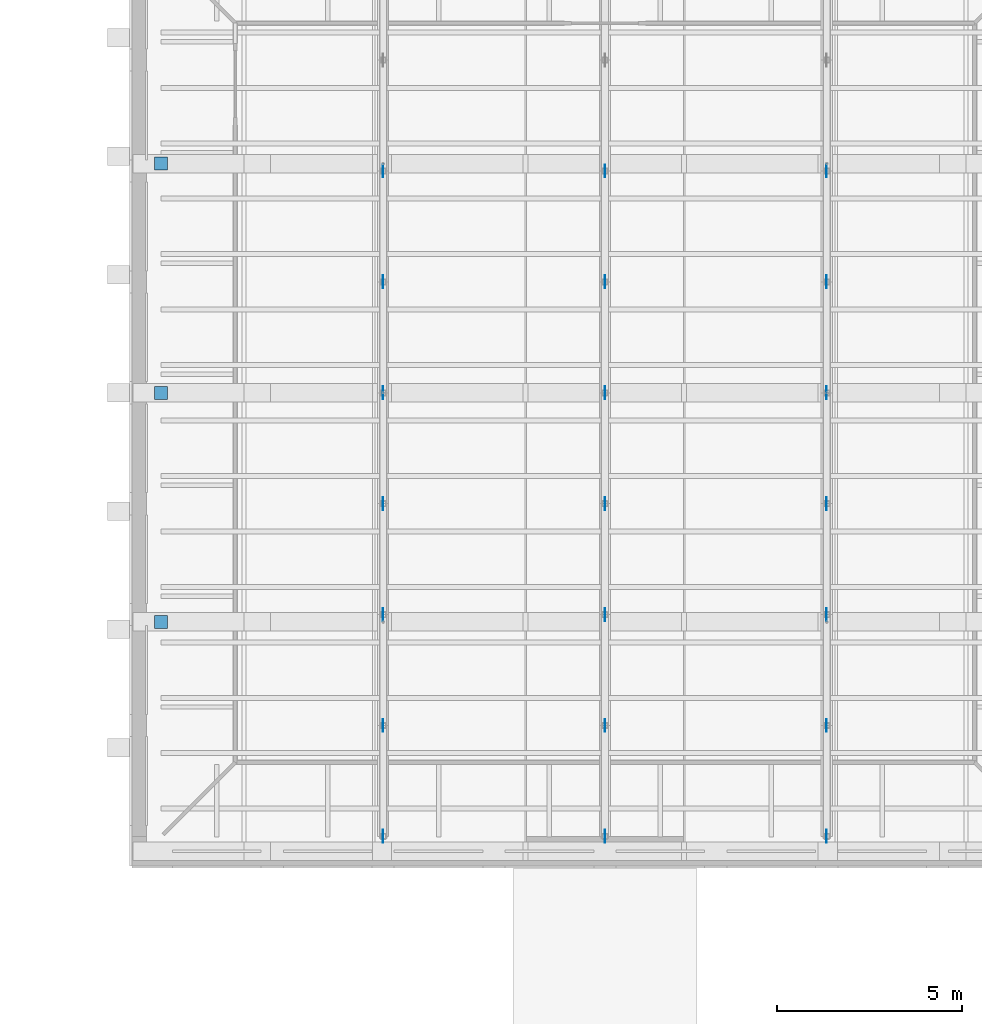
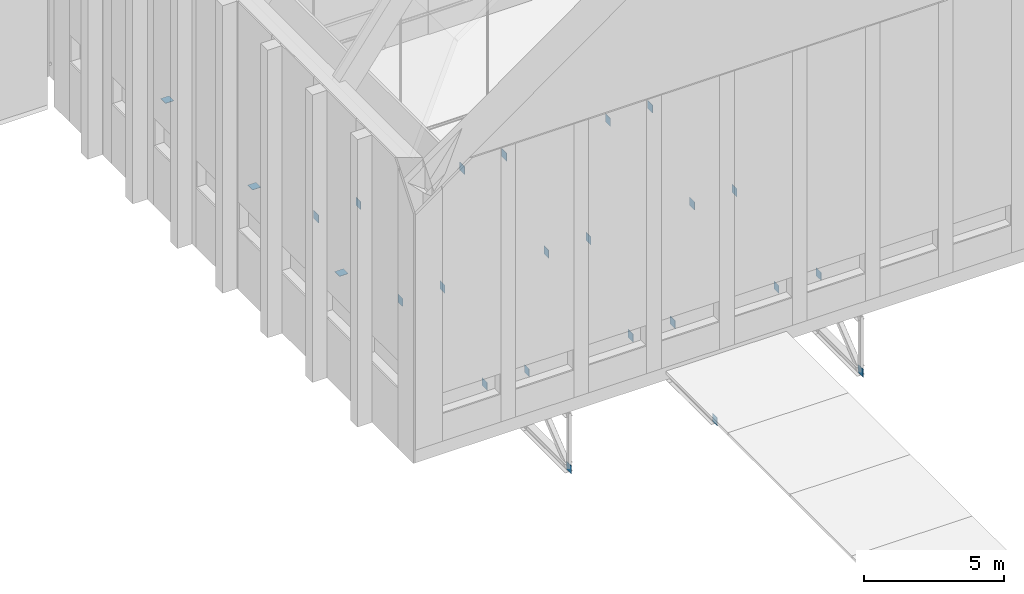
# One storey, part 48 of 55: 24 discrete accessories.
"""IFC4 building model written with IfcOpenShell, lengths in metres."""

from ifc_helpers import new_model, si_unit, direction, frame, origin, origin_2d, place, context, subcontext, project, spatial, rectangle, extrude, material, layer, layer_set, type_object, element, save


model = new_model("IFC4")

# Units and contexts
model_context = context("Model", 3, precision=1e-05, world=origin(), true_north=direction((0.0, 1.0)))
body_context = subcontext(model_context, "Body", "Model", "MODEL_VIEW")
ifc_project = project(units=[si_unit("LENGTHUNIT", "METRE"), si_unit("AREAUNIT", "SQUARE_METRE"), si_unit("VOLUMEUNIT", "CUBIC_METRE"), si_unit("PLANEANGLEUNIT", "RADIAN"), si_unit("MASSUNIT", "GRAM", prefix="KILO")], contexts=[model_context])

# Site, building, storey
site_placement = place(None, origin())
site = spatial("IfcSite", under=ifc_project, at=site_placement, CompositionType="ELEMENT")
building_placement = place(site_placement, origin())
building = spatial("IfcBuilding", under=site, at=building_placement, Name="Lunette Opera House", CompositionType="ELEMENT")
storey_placement = place(building_placement, frame((0.0, 0.0, 34.0)))
storey = spatial("IfcBuildingStorey", under=building, at=storey_placement, Name="L06", CompositionType="ELEMENT", Elevation=34.0)

# Discrete accessories
ifc_material = material(Name="Steel S355", Category="steel")
ifc_layer = layer(ifc_material, 0.011962890625)
ifc_layer_set = layer_set([ifc_layer], Name="Steel S355")
discrete_accessory_type = type_object("IfcDiscreteAccessoryType", Name="BRACE GUSSET PLATE 12", PredefinedType="USERDEFINED", material=ifc_layer_set)
for number, where, z_axis, x_axis, name in (
    (1, (90.0, 96.0, -3.239990234375), (0.0, 0.0, 1.0), (0.0, 1.0, 0.0), "Gusset plate 13"),
    (2, (90.0, 99.0, -0.840087890625), (0.0, 0.0, 1.0), (0.0, 1.0, 0.0), "Gusset plate 14"),
    (3, (90.0, 102.0, -3.239990234375), (0.0, 0.0, 1.0), (0.0, 1.0, 0.0), "Gusset plate 15"),
    (4, (90.0, 105.0, -0.840087890625), (0.0, 0.0, 1.0), (0.0, 1.0, 0.0), "Gusset plate 16"),
    (5, (90.0, 108.0, -3.239990234375), (0.0, 0.0, 1.0), (0.0, 1.0, 0.0), "Gusset plate 17"),
    (6, (90.0, 111.0, -0.840087890625), (0.0, 0.0, 1.0), (0.0, 1.0, 0.0), "Gusset plate 18"),
    (7, (90.0, 114.0, -3.239990234375), (0.0, 0.0, 1.0), (0.0, 1.0, 0.0), "Gusset plate 19"),
    (8, (96.0, 96.0, -3.239990234375), (0.0, 0.0, 1.0), (0.0, 1.0, 0.0), "Gusset plate 22"),
    (9, (96.0, 99.0, -0.840087890625), (0.0, 0.0, 1.0), (0.0, 1.0, 0.0), "Gusset plate 23"),
    (10, (96.0, 102.0, -3.239990234375), (0.0, 0.0, 1.0), (0.0, 1.0, 0.0), "Gusset plate 24"),
    (11, (96.0, 105.0, -0.840087890625), (0.0, 0.0, 1.0), (0.0, 1.0, 0.0), "Gusset plate 25"),
    (12, (96.0, 108.0, -3.239990234375), (0.0, 0.0, 1.0), (0.0, 1.0, 0.0), "Gusset plate 26"),
    (13, (96.0, 111.0, -0.840087890625), (0.0, 0.0, 1.0), (0.0, 1.0, 0.0), "Gusset plate 27"),
    (14, (96.0, 114.0, -3.239990234375), (0.0, 0.0, 1.0), (0.0, 1.0, 0.0), "Gusset plate 28"),
    (15, (102.0, 96.0, -3.239990234375), (0.0, 0.0, 1.0), (0.0, 1.0, 0.0), "Gusset plate 31"),
    (16, (102.0, 99.0, -0.840087890625), (0.0, 0.0, 1.0), (0.0, 1.0, 0.0), "Gusset plate 32"),
    (17, (102.0, 102.0, -3.239990234375), (0.0, 0.0, 1.0), (0.0, 1.0, 0.0), "Gusset plate 33"),
    (18, (102.0, 105.0, -0.840087890625), (0.0, 0.0, 1.0), (0.0, 1.0, 0.0), "Gusset plate 34"),
    (19, (102.0, 108.0, -3.239990234375), (0.0, 0.0, 1.0), (0.0, 1.0, 0.0), "Gusset plate 35"),
    (20, (102.0, 111.0, -0.840087890625), (0.0, 0.0, 1.0), (0.0, 1.0, 0.0), "Gusset plate 36"),
    (21, (102.0, 114.0, -3.239990234375), (0.0, 0.0, 1.0), (0.0, 1.0, 0.0), "Gusset plate 37"),
):
    element("IfcDiscreteAccessory", number, at=place(storey_placement, frame(where, z_axis=z_axis, x_axis=x_axis)), inside=storey, type_object=discrete_accessory_type, Name=name, ObjectType="GUSSET PLATE", PredefinedType="USERDEFINED", context=body_context, shape_type="SweptSolid", body=[
        extrude(rectangle(XDim=0.35009765625, YDim=0.011962890625, at=origin_2d()), origin(), (0.0, 0.0, 1.0), 0.35009765625),
    ])
for number, where, z_axis, x_axis, name in (
    (22, (83.989990234375, 101.800048828125, 3.994140625), (0.0, 0.0, 1.0), (1.0, 0.0, 0.0), "Gusset plate 40"),
    (23, (83.989990234375, 108.0, 3.994140625), (0.0, 0.0, 1.0), (1.0, 0.0, 0.0), "Gusset plate 42"),
    (24, (83.989990234375, 114.199951171875, 3.994140625), (0.0, 0.0, 1.0), (1.0, 0.0, 0.0), "Gusset plate 44"),
):
    element("IfcDiscreteAccessory", number, at=place(storey_placement, frame(where, z_axis=z_axis, x_axis=x_axis)), inside=storey, type_object=discrete_accessory_type, Name=name, ObjectType="GUSSET PLATE", PredefinedType="USERDEFINED", context=body_context, shape_type="SweptSolid", body=[
        extrude(rectangle(XDim=0.35009765625, YDim=0.35009765625, at=origin_2d()), origin(), (0.0, 0.0, 1.0), 0.011962890625),
    ])

save(model, "model.ifc")
